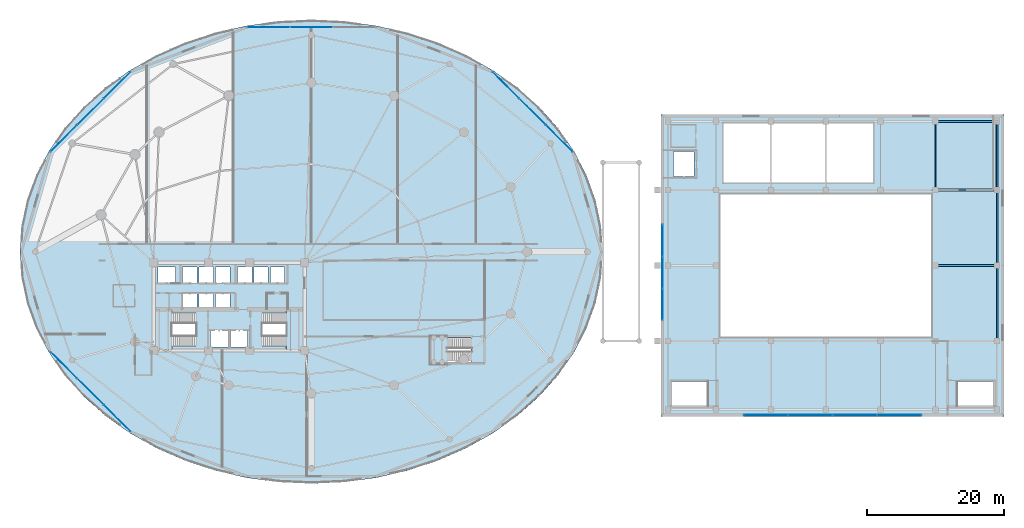
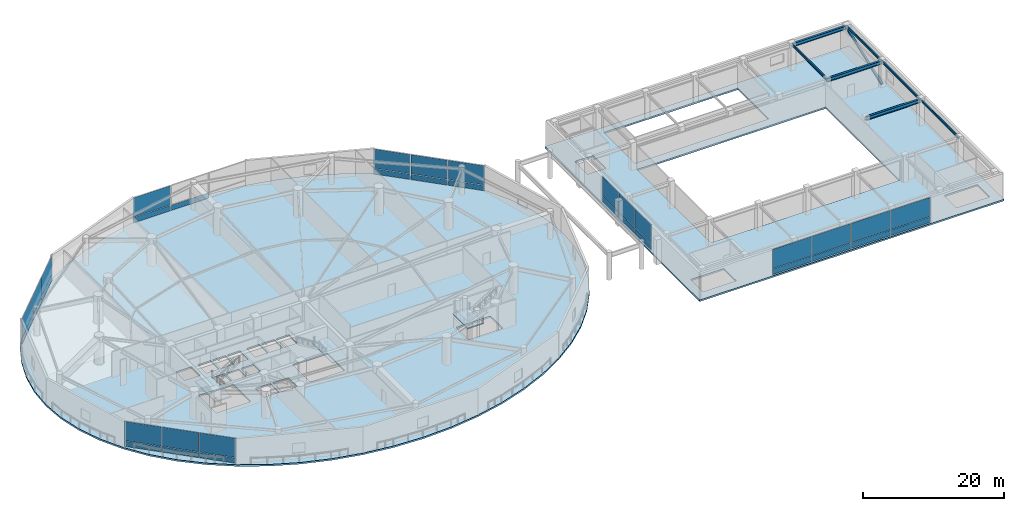
# One storey, part 24 of 36: 35 plates, 7 beams, 5 slabs, 1 member, 10 elements without a shape of their own.
"""IFC4 building model written with IfcOpenShell, lengths in metres."""

from ifc_helpers import new_model, si_unit, direction, frame, origin, origin_2d, place, context, subcontext, project, spatial, polyline, rectangle, hollow_rectangle, i_section, outline, extrude, material, layer, layer_set, material_profile, profile_set, type_object, element, aggregate, save


model = new_model("IFC4")

# Units and contexts
model_context = context("Model", 3, precision=1e-05, world=origin(), true_north=direction((0.0, 1.0)))
body_context = subcontext(model_context, "Body", "Model", "MODEL_VIEW")
ifc_project = project(units=[si_unit("LENGTHUNIT", "METRE"), si_unit("AREAUNIT", "SQUARE_METRE"), si_unit("VOLUMEUNIT", "CUBIC_METRE"), si_unit("PLANEANGLEUNIT", "RADIAN"), si_unit("MASSUNIT", "GRAM", prefix="KILO")], contexts=[model_context])

# Site, building, storey
site_placement = place(None, origin())
site = spatial("IfcSite", under=ifc_project, at=site_placement, CompositionType="ELEMENT")
building_placement = place(site_placement, origin())
building = spatial("IfcBuilding", under=site, at=building_placement, Name="Kazevale Care Tower and Concert Hall", CompositionType="ELEMENT")
storey_placement = place(building_placement, frame((0.0, 0.0, 14.39990234375)))
storey = spatial("IfcBuildingStorey", under=building, at=storey_placement, Name="L03", CompositionType="ELEMENT", Elevation=14.39990234375)

# Beams
ifc_material_1 = material(Name="Steel ASTM A572 Gr 50", Category="steel")
ifc_material_profile_1 = material_profile(ifc_material_1, i_section(OverallWidth=0.323974609375, OverallDepth=0.611083984375, WebThickness=0.0126953125, FlangeThickness=0.01904296875, at=origin_2d()), Name="W610x155")
ifc_profile_set_1 = profile_set([ifc_material_profile_1], Name="Steel ASTM A572 Gr 50")
beam_type_1 = type_object("IfcBeamType", Name="Concert Hall Frame Girder W610x155", PredefinedType="BEAM", material=ifc_profile_set_1)
for number, where, z_axis, x_axis, name in (
    (1, (136.0, 36.0, 4.214599609375), (1.0, 0.0, 0.0), (0.0, 1.0, 0.0), "beam:L03:hx:136_36"),
    (2, (136.0, 47.0, 4.214599609375), (1.0, 0.0, 0.0), (0.0, 1.0, 0.0), "beam:L03:hx:136_47"),
    (3, (136.0, 57.0, 4.214599609375), (1.0, 0.0, 0.0), (0.0, 1.0, 0.0), "beam:L03:hx:136_57"),
):
    element("IfcBeam", number, at=place(storey_placement, frame(where, z_axis=z_axis, x_axis=x_axis)), inside=storey, type_object=beam_type_1, Name=name, PredefinedType="BEAM", context=body_context, shape_type="SweptSolid", body=[
        extrude(i_section(OverallWidth=0.323974609375, OverallDepth=0.611083984375, WebThickness=0.0126953125, FlangeThickness=0.01904296875, at=origin_2d()), origin(), (0.0, 0.0, 1.0), 9.0),
    ])
ifc_material_profile_2 = material_profile(ifc_material_1, i_section(OverallWidth=0.180908203125, OverallDepth=0.4169921875, WebThickness=0.010986328125, FlangeThickness=0.018310546875, at=origin_2d()), Name="W410x85")
ifc_profile_set_2 = profile_set([ifc_material_profile_2], Name="Steel ASTM A572 Gr 50")
beam_type_2 = type_object("IfcBeamType", Name="Concert Hall Secondary Beam W410x85", PredefinedType="BEAM", material=ifc_profile_set_2)
beam_1_placement = place(storey_placement, frame((136.0, 47.0, 4.3115234375), z_axis=(0.0, 1.0, 0.0), x_axis=(-1.0, 0.0, 0.0)))
element("IfcBeam", 4, at=beam_1_placement, inside=storey, type_object=beam_type_2, Name="beam:L03:hy:136_47", PredefinedType="BEAM", context=body_context, shape_type="SweptSolid", body=[
    extrude(i_section(OverallWidth=0.180908203125, OverallDepth=0.4169921875, WebThickness=0.010986328125, FlangeThickness=0.018310546875, at=origin_2d()), origin(), (0.0, 0.0, 1.0), 10.0),
])
for number, where, z_axis, x_axis, name in (
    (5, (145.0, 25.0, 4.3115234375), (0.0, 1.0, 0.0), (-1.0, 0.0, 0.0), "beam:L03:hy:145_25"),
    (6, (145.0, 36.0, 4.3115234375), (0.0, 1.0, 0.0), (-1.0, 0.0, 0.0), "beam:L03:hy:145_36"),
):
    element("IfcBeam", number, at=place(storey_placement, frame(where, z_axis=z_axis, x_axis=x_axis)), inside=storey, type_object=beam_type_2, Name=name, PredefinedType="BEAM", context=body_context, shape_type="SweptSolid", body=[
        extrude(i_section(OverallWidth=0.180908203125, OverallDepth=0.4169921875, WebThickness=0.010986328125, FlangeThickness=0.018310546875, at=origin_2d()), origin(), (0.0, 0.0, 1.0), 11.0),
    ])
beam_2_placement = place(storey_placement, frame((145.0, 47.0, 4.3115234375), z_axis=(0.0, 1.0, 0.0), x_axis=(-1.0, 0.0, 0.0)))
element("IfcBeam", 7, at=beam_2_placement, inside=storey, type_object=beam_type_2, Name="beam:L03:hy:145_47", PredefinedType="BEAM", context=body_context, shape_type="SweptSolid", body=[
    extrude(i_section(OverallWidth=0.180908203125, OverallDepth=0.4169921875, WebThickness=0.010986328125, FlangeThickness=0.018310546875, at=origin_2d()), origin(), (0.0, 0.0, 1.0), 10.0),
])

# Member
ifc_material_profile_3 = material_profile(ifc_material_1, hollow_rectangle(XDim=0.300048828125, YDim=0.300048828125, WallThickness=0.02001953125, at=origin_2d()), Name="SHS300x300x20")
ifc_profile_set_3 = profile_set([ifc_material_profile_3], Name="Steel ASTM A572 Gr 50")
member_type = type_object("IfcMemberType", Name="Concert Hall Wall Brace SHS300x300x20", PredefinedType="BRACE", material=ifc_profile_set_3)
member_placement = place(storey_placement, frame((145.0, 47.0, 0.400146484375), z_axis=(0.0, 0.940290426745, 0.340373197201), x_axis=(-1.0, 0.0, 0.0)))
element("IfcMember", 8, at=member_placement, inside=storey, type_object=member_type, Name="brace:L03:hwW", PredefinedType="BRACE", context=body_context, shape_type="SweptSolid", body=[
    extrude(hollow_rectangle(XDim=0.300048828125, YDim=0.300048828125, WallThickness=0.02001953125, at=origin_2d()), origin(), (0.0, 0.0, 1.0), 10.635009765625),
])

# Curtain wall, plates
ifc_material_2 = material(Name="Aluminium 6063-T6 and Low-E Glass", Category="aluminium")
ifc_layer_1 = layer(ifc_material_2, 0.179931640625)
ifc_layer_set_1 = layer_set([ifc_layer_1], Name="Aluminium 6063-T6 and Low-E Glass")
curtain_wall_type_1 = type_object("IfcCurtainWallType", Name="Podium Double-Skin Medical Curtain Wall CW-1", PredefinedType="NOTDEFINED", material=ifc_layer_set_1)
curtain_wall_1_placement = place(storey_placement, origin())
curtain_wall_1 = element("IfcCurtainWall", 9, at=curtain_wall_1_placement, inside=storey, type_object=curtain_wall_type_1, Name="cw:L03:pod:02", PredefinedType="NOTDEFINED")
ifc_material_3 = material(Name="Low-E Laminated Glass", Category="glass")
ifc_layer_2 = layer(ifc_material_3, 0.030029296875)
ifc_layer_set_2 = layer_set([ifc_layer_2], Name="Low-E Laminated Glass")
plate_type_1 = type_object("IfcPlateType", Name="CW-1 Low-E Glazing Panel 30mm", PredefinedType="CURTAIN_PANEL", material=ifc_layer_set_2)
plate_1_placement = place(storey_placement, frame((81.121826171875, 54.533203125, 0.080078125), z_axis=(0.0, 0.0, 1.0), x_axis=(-0.708554776856, 0.705655814257, 0.0)))
plate_1 = element("IfcPlate", 10, at=plate_1_placement, type_object=plate_type_1, Name="CW-1 panel 1.1", PredefinedType="CURTAIN_PANEL", context=body_context, shape_type="SweptSolid", body=[
    extrude(rectangle(XDim=5.38427734375, YDim=0.030029296875, at=origin_2d()), origin(), (0.0, 0.0, 1.0), 0.929931640625),
])
plate_2_placement = place(storey_placement, frame((81.121826171875, 54.533203125, 1.090087890625), z_axis=(0.0, 0.0, 1.0), x_axis=(-0.708554776856, 0.705655814257, 0.0)))
plate_2 = element("IfcPlate", 11, at=plate_2_placement, type_object=plate_type_1, Name="CW-1 panel 1.2", PredefinedType="CURTAIN_PANEL", context=body_context, shape_type="SweptSolid", body=[
    extrude(rectangle(XDim=5.38427734375, YDim=0.030029296875, at=origin_2d()), origin(), (0.0, 0.0, 1.0), 3.35009765625),
])
plate_3_placement = place(storey_placement, frame((77.22705078125, 58.412109375, 0.080078125), z_axis=(0.0, 0.0, 1.0), x_axis=(-0.708554776856, 0.705655814257, 0.0)))
plate_3 = element("IfcPlate", 12, at=plate_3_placement, type_object=plate_type_1, Name="CW-1 panel 2.1", PredefinedType="CURTAIN_PANEL", context=body_context, shape_type="SweptSolid", body=[
    extrude(rectangle(XDim=5.42919921875, YDim=0.030029296875, at=origin_2d()), origin(), (0.0, 0.0, 1.0), 0.929931640625),
])
plate_4_placement = place(storey_placement, frame((77.22705078125, 58.412109375, 1.090087890625), z_axis=(0.0, 0.0, 1.0), x_axis=(-0.708554776856, 0.705655814257, 0.0)))
plate_4 = element("IfcPlate", 13, at=plate_4_placement, type_object=plate_type_1, Name="CW-1 panel 2.2", PredefinedType="CURTAIN_PANEL", context=body_context, shape_type="SweptSolid", body=[
    extrude(rectangle(XDim=5.42919921875, YDim=0.030029296875, at=origin_2d()), origin(), (0.0, 0.0, 1.0), 3.35009765625),
])
plate_5_placement = place(storey_placement, frame((73.332275390625, 62.290771484375, 0.080078125), z_axis=(0.0, 0.0, 1.0), x_axis=(-0.708554776856, 0.705655814257, 0.0)))
plate_5 = element("IfcPlate", 14, at=plate_5_placement, type_object=plate_type_1, Name="CW-1 panel 3.1", PredefinedType="CURTAIN_PANEL", context=body_context, shape_type="SweptSolid", body=[
    extrude(rectangle(XDim=5.38427734375, YDim=0.030029296875, at=origin_2d()), origin(), (0.0, 0.0, 1.0), 0.929931640625),
])
plate_6_placement = place(storey_placement, frame((73.332275390625, 62.290771484375, 1.090087890625), z_axis=(0.0, 0.0, 1.0), x_axis=(-0.708554776856, 0.705655814257, 0.0)))
plate_6 = element("IfcPlate", 15, at=plate_6_placement, type_object=plate_type_1, Name="CW-1 panel 3.2", PredefinedType="CURTAIN_PANEL", context=body_context, shape_type="SweptSolid", body=[
    extrude(rectangle(XDim=5.38427734375, YDim=0.030029296875, at=origin_2d()), origin(), (0.0, 0.0, 1.0), 3.35009765625),
])
aggregate(curtain_wall_1, [plate_1, plate_2, plate_3, plate_4, plate_5, plate_6])

curtain_wall_2_placement = place(storey_placement, origin())
curtain_wall_2 = element("IfcCurtainWall", 16, at=curtain_wall_2_placement, inside=storey, type_object=curtain_wall_type_1, Name="cw:L03:pod:04", PredefinedType="NOTDEFINED")
plate_7_placement = place(storey_placement, frame((45.0, 70.738037109375, 0.080078125), z_axis=(0.0, 0.0, 1.0), x_axis=(-1.0, 0.0, 0.0)))
plate_7 = element("IfcPlate", 17, at=plate_7_placement, type_object=plate_type_1, Name="CW-1 panel 2.1", PredefinedType="CURTAIN_PANEL", context=body_context, shape_type="SweptSolid", body=[
    extrude(rectangle(XDim=6.181884765625, YDim=0.030029296875, at=origin_2d()), origin(), (0.0, 0.0, 1.0), 0.929931640625),
])
plate_8_placement = place(storey_placement, frame((38.75048828125, 70.738037109375, 0.080078125), z_axis=(0.0, 0.0, 1.0), x_axis=(-1.0, 0.0, 0.0)))
plate_8 = element("IfcPlate", 18, at=plate_8_placement, type_object=plate_type_1, Name="CW-1 panel 3.1", PredefinedType="CURTAIN_PANEL", context=body_context, shape_type="SweptSolid", body=[
    extrude(rectangle(XDim=6.136962890625, YDim=0.030029296875, at=origin_2d()), origin(), (0.0, 0.0, 1.0), 0.929931640625),
])
plate_9_placement = place(storey_placement, frame((38.75048828125, 70.738037109375, 1.090087890625), z_axis=(0.0, 0.0, 1.0), x_axis=(-1.0, 0.0, 0.0)))
plate_9 = element("IfcPlate", 19, at=plate_9_placement, type_object=plate_type_1, Name="CW-1 panel 3.2", PredefinedType="CURTAIN_PANEL", context=body_context, shape_type="SweptSolid", body=[
    extrude(rectangle(XDim=6.136962890625, YDim=0.030029296875, at=origin_2d()), origin(), (0.0, 0.0, 1.0), 3.35009765625),
])
aggregate(curtain_wall_2, [plate_7, plate_8, plate_9])

curtain_wall_3_placement = place(storey_placement, origin())
curtain_wall_3 = element("IfcCurtainWall", 20, at=curtain_wall_3_placement, inside=storey, type_object=curtain_wall_type_1, Name="cw:L03:pod:06", PredefinedType="NOTDEFINED")
plate_10_placement = place(storey_placement, frame((16.667724609375, 62.290771484375, 0.080078125), z_axis=(0.0, 0.0, 1.0), x_axis=(-0.708554776856, -0.705655814257, 0.0)))
plate_10 = element("IfcPlate", 21, at=plate_10_placement, type_object=plate_type_1, Name="CW-1 panel 1.1", PredefinedType="CURTAIN_PANEL", context=body_context, shape_type="SweptSolid", body=[
    extrude(rectangle(XDim=5.38427734375, YDim=0.030029296875, at=origin_2d()), origin(), (0.0, 0.0, 1.0), 0.929931640625),
])
plate_11_placement = place(storey_placement, frame((16.667724609375, 62.290771484375, 1.090087890625), z_axis=(0.0, 0.0, 1.0), x_axis=(-0.708554776856, -0.705655814257, 0.0)))
plate_11 = element("IfcPlate", 22, at=plate_11_placement, type_object=plate_type_1, Name="CW-1 panel 1.2", PredefinedType="CURTAIN_PANEL", context=body_context, shape_type="SweptSolid", body=[
    extrude(rectangle(XDim=5.38427734375, YDim=0.030029296875, at=origin_2d()), origin(), (0.0, 0.0, 1.0), 3.35009765625),
])
plate_12_placement = place(storey_placement, frame((12.77294921875, 58.412109375, 0.080078125), z_axis=(0.0, 0.0, 1.0), x_axis=(-0.708554776856, -0.705655814257, 0.0)))
plate_12 = element("IfcPlate", 23, at=plate_12_placement, type_object=plate_type_1, Name="CW-1 panel 2.1", PredefinedType="CURTAIN_PANEL", context=body_context, shape_type="SweptSolid", body=[
    extrude(rectangle(XDim=5.42919921875, YDim=0.030029296875, at=origin_2d()), origin(), (0.0, 0.0, 1.0), 0.929931640625),
])
plate_13_placement = place(storey_placement, frame((12.77294921875, 58.412109375, 1.090087890625), z_axis=(0.0, 0.0, 1.0), x_axis=(-0.708554776856, -0.705655814257, 0.0)))
plate_13 = element("IfcPlate", 24, at=plate_13_placement, type_object=plate_type_1, Name="CW-1 panel 2.2", PredefinedType="CURTAIN_PANEL", context=body_context, shape_type="SweptSolid", body=[
    extrude(rectangle(XDim=5.42919921875, YDim=0.030029296875, at=origin_2d()), origin(), (0.0, 0.0, 1.0), 3.35009765625),
])
plate_14_placement = place(storey_placement, frame((8.878173828125, 54.533203125, 0.080078125), z_axis=(0.0, 0.0, 1.0), x_axis=(-0.708554776856, -0.705655814257, 0.0)))
plate_14 = element("IfcPlate", 25, at=plate_14_placement, type_object=plate_type_1, Name="CW-1 panel 3.1", PredefinedType="CURTAIN_PANEL", context=body_context, shape_type="SweptSolid", body=[
    extrude(rectangle(XDim=5.38427734375, YDim=0.030029296875, at=origin_2d()), origin(), (0.0, 0.0, 1.0), 0.929931640625),
])
plate_15_placement = place(storey_placement, frame((8.878173828125, 54.533203125, 1.090087890625), z_axis=(0.0, 0.0, 1.0), x_axis=(-0.708554776856, -0.705655814257, 0.0)))
plate_15 = element("IfcPlate", 26, at=plate_15_placement, type_object=plate_type_1, Name="CW-1 panel 3.2", PredefinedType="CURTAIN_PANEL", context=body_context, shape_type="SweptSolid", body=[
    extrude(rectangle(XDim=5.38427734375, YDim=0.030029296875, at=origin_2d()), origin(), (0.0, 0.0, 1.0), 3.35009765625),
])
aggregate(curtain_wall_3, [plate_10, plate_11, plate_12, plate_13, plate_14, plate_15])

curtain_wall_4_placement = place(storey_placement, origin())
curtain_wall_4 = element("IfcCurtainWall", 27, at=curtain_wall_4_placement, inside=storey, type_object=curtain_wall_type_1, Name="cw:L03:pod:09", PredefinedType="NOTDEFINED")
plate_16_placement = place(storey_placement, frame((8.878173828125, 21.466796875, 0.080078125), z_axis=(0.0, 0.0, 1.0), x_axis=(0.708554776856, -0.705655814257, 0.0)))
plate_16 = element("IfcPlate", 28, at=plate_16_placement, type_object=plate_type_1, Name="CW-1 panel 1.1", PredefinedType="CURTAIN_PANEL", context=body_context, shape_type="SweptSolid", body=[
    extrude(rectangle(XDim=5.38427734375, YDim=0.030029296875, at=origin_2d()), origin(), (0.0, 0.0, 1.0), 0.929931640625),
])
plate_17_placement = place(storey_placement, frame((8.878173828125, 21.466796875, 1.090087890625), z_axis=(0.0, 0.0, 1.0), x_axis=(0.708554776856, -0.705655814257, 0.0)))
plate_17 = element("IfcPlate", 29, at=plate_17_placement, type_object=plate_type_1, Name="CW-1 panel 1.2", PredefinedType="CURTAIN_PANEL", context=body_context, shape_type="SweptSolid", body=[
    extrude(rectangle(XDim=5.38427734375, YDim=0.030029296875, at=origin_2d()), origin(), (0.0, 0.0, 1.0), 3.35009765625),
])
plate_18_placement = place(storey_placement, frame((12.77294921875, 17.587890625, 0.080078125), z_axis=(0.0, 0.0, 1.0), x_axis=(0.708554776856, -0.705655814257, 0.0)))
plate_18 = element("IfcPlate", 30, at=plate_18_placement, type_object=plate_type_1, Name="CW-1 panel 2.1", PredefinedType="CURTAIN_PANEL", context=body_context, shape_type="SweptSolid", body=[
    extrude(rectangle(XDim=5.42919921875, YDim=0.030029296875, at=origin_2d()), origin(), (0.0, 0.0, 1.0), 0.929931640625),
])
plate_19_placement = place(storey_placement, frame((12.77294921875, 17.587890625, 1.090087890625), z_axis=(0.0, 0.0, 1.0), x_axis=(0.708554776856, -0.705655814257, 0.0)))
plate_19 = element("IfcPlate", 31, at=plate_19_placement, type_object=plate_type_1, Name="CW-1 panel 2.2", PredefinedType="CURTAIN_PANEL", context=body_context, shape_type="SweptSolid", body=[
    extrude(rectangle(XDim=5.42919921875, YDim=0.030029296875, at=origin_2d()), origin(), (0.0, 0.0, 1.0), 3.35009765625),
])
plate_20_placement = place(storey_placement, frame((16.667724609375, 13.709228515625, 0.080078125), z_axis=(0.0, 0.0, 1.0), x_axis=(0.708554776856, -0.705655814257, 0.0)))
plate_20 = element("IfcPlate", 32, at=plate_20_placement, type_object=plate_type_1, Name="CW-1 panel 3.1", PredefinedType="CURTAIN_PANEL", context=body_context, shape_type="SweptSolid", body=[
    extrude(rectangle(XDim=5.38427734375, YDim=0.030029296875, at=origin_2d()), origin(), (0.0, 0.0, 1.0), 0.929931640625),
])
plate_21_placement = place(storey_placement, frame((16.667724609375, 13.709228515625, 1.090087890625), z_axis=(0.0, 0.0, 1.0), x_axis=(0.708554776856, -0.705655814257, 0.0)))
plate_21 = element("IfcPlate", 33, at=plate_21_placement, type_object=plate_type_1, Name="CW-1 panel 3.2", PredefinedType="CURTAIN_PANEL", context=body_context, shape_type="SweptSolid", body=[
    extrude(rectangle(XDim=5.38427734375, YDim=0.030029296875, at=origin_2d()), origin(), (0.0, 0.0, 1.0), 3.35009765625),
])
aggregate(curtain_wall_4, [plate_16, plate_17, plate_18, plate_19, plate_20, plate_21])

ifc_layer_3 = layer(ifc_material_2, 0.179931640625)
ifc_layer_set_3 = layer_set([ifc_layer_3], Name="Aluminium 6063-T6 and Low-E Glass")
curtain_wall_type_2 = type_object("IfcCurtainWallType", Name="Concert Hall Foyer Storefront Curtain Wall CW-6", PredefinedType="NOTDEFINED", material=ifc_layer_set_3)
curtain_wall_5_placement = place(storey_placement, origin())
curtain_wall_5 = element("IfcCurtainWall", 34, at=curtain_wall_5_placement, inside=storey, type_object=curtain_wall_type_2, Name="cw:L03:hall:S2", PredefinedType="NOTDEFINED")
ifc_layer_4 = layer(ifc_material_3, 0.031982421875)
ifc_layer_set_4 = layer_set([ifc_layer_4], Name="Low-E Laminated Glass")
plate_type_2 = type_object("IfcPlateType", Name="CW-6 Low-E Glazing Panel 32mm", PredefinedType="CURTAIN_PANEL", material=ifc_layer_set_4)
plate_22_placement = place(storey_placement, frame((111.2724609375, 14.199951171875, 0.080078125), z_axis=(0.0, 0.0, 1.0), x_axis=(1.0, 0.0, 0.0)))
plate_22 = element("IfcPlate", 35, at=plate_22_placement, type_object=plate_type_2, Name="CW-6 panel 1.1", PredefinedType="CURTAIN_PANEL", context=body_context, shape_type="SweptSolid", body=[
    extrude(rectangle(XDim=6.364990234375, YDim=0.031982421875, at=origin_2d()), origin(), (0.0, 0.0, 1.0), 0.929931640625),
])
plate_23_placement = place(storey_placement, frame((111.2724609375, 14.199951171875, 1.090087890625), z_axis=(0.0, 0.0, 1.0), x_axis=(1.0, 0.0, 0.0)))
plate_23 = element("IfcPlate", 36, at=plate_23_placement, type_object=plate_type_2, Name="CW-6 panel 1.2", PredefinedType="CURTAIN_PANEL", context=body_context, shape_type="SweptSolid", body=[
    extrude(rectangle(XDim=6.364990234375, YDim=0.031982421875, at=origin_2d()), origin(), (0.0, 0.0, 1.0), 3.35009765625),
])
plate_24_placement = place(storey_placement, frame((117.7275390625, 14.199951171875, 0.080078125), z_axis=(0.0, 0.0, 1.0), x_axis=(1.0, 0.0, 0.0)))
plate_24 = element("IfcPlate", 37, at=plate_24_placement, type_object=plate_type_2, Name="CW-6 panel 2.1", PredefinedType="CURTAIN_PANEL", context=body_context, shape_type="SweptSolid", body=[
    extrude(rectangle(XDim=6.364990234375, YDim=0.031982421875, at=origin_2d()), origin(), (0.0, 0.0, 1.0), 0.929931640625),
])
plate_25_placement = place(storey_placement, frame((117.7275390625, 14.199951171875, 1.090087890625), z_axis=(0.0, 0.0, 1.0), x_axis=(1.0, 0.0, 0.0)))
plate_25 = element("IfcPlate", 38, at=plate_25_placement, type_object=plate_type_2, Name="CW-6 panel 2.2", PredefinedType="CURTAIN_PANEL", context=body_context, shape_type="SweptSolid", body=[
    extrude(rectangle(XDim=6.364990234375, YDim=0.031982421875, at=origin_2d()), origin(), (0.0, 0.0, 1.0), 3.35009765625),
])
aggregate(curtain_wall_5, [plate_22, plate_23, plate_24, plate_25])

curtain_wall_6_placement = place(storey_placement, origin())
curtain_wall_6 = element("IfcCurtainWall", 39, at=curtain_wall_6_placement, inside=storey, type_object=curtain_wall_type_2, Name="cw:L03:hall:S3", PredefinedType="NOTDEFINED")
plate_26_placement = place(storey_placement, frame((124.2724609375, 14.199951171875, 0.080078125), z_axis=(0.0, 0.0, 1.0), x_axis=(1.0, 0.0, 0.0)))
plate_26 = element("IfcPlate", 40, at=plate_26_placement, type_object=plate_type_2, Name="CW-6 panel 1.1", PredefinedType="CURTAIN_PANEL", context=body_context, shape_type="SweptSolid", body=[
    extrude(rectangle(XDim=6.364990234375, YDim=0.031982421875, at=origin_2d()), origin(), (0.0, 0.0, 1.0), 0.929931640625),
])
plate_27_placement = place(storey_placement, frame((124.2724609375, 14.199951171875, 1.090087890625), z_axis=(0.0, 0.0, 1.0), x_axis=(1.0, 0.0, 0.0)))
plate_27 = element("IfcPlate", 41, at=plate_27_placement, type_object=plate_type_2, Name="CW-6 panel 1.2", PredefinedType="CURTAIN_PANEL", context=body_context, shape_type="SweptSolid", body=[
    extrude(rectangle(XDim=6.364990234375, YDim=0.031982421875, at=origin_2d()), origin(), (0.0, 0.0, 1.0), 3.35009765625),
])
plate_28_placement = place(storey_placement, frame((130.7275390625, 14.199951171875, 0.080078125), z_axis=(0.0, 0.0, 1.0), x_axis=(1.0, 0.0, 0.0)))
plate_28 = element("IfcPlate", 42, at=plate_28_placement, type_object=plate_type_2, Name="CW-6 panel 2.1", PredefinedType="CURTAIN_PANEL", context=body_context, shape_type="SweptSolid", body=[
    extrude(rectangle(XDim=6.364990234375, YDim=0.031982421875, at=origin_2d()), origin(), (0.0, 0.0, 1.0), 0.929931640625),
])
plate_29_placement = place(storey_placement, frame((130.7275390625, 14.199951171875, 1.090087890625), z_axis=(0.0, 0.0, 1.0), x_axis=(1.0, 0.0, 0.0)))
plate_29 = element("IfcPlate", 43, at=plate_29_placement, type_object=plate_type_2, Name="CW-6 panel 2.2", PredefinedType="CURTAIN_PANEL", context=body_context, shape_type="SweptSolid", body=[
    extrude(rectangle(XDim=6.364990234375, YDim=0.031982421875, at=origin_2d()), origin(), (0.0, 0.0, 1.0), 3.35009765625),
])
aggregate(curtain_wall_6, [plate_26, plate_27, plate_28, plate_29])

curtain_wall_7_placement = place(storey_placement, origin())
curtain_wall_7 = element("IfcCurtainWall", 44, at=curtain_wall_7_placement, inside=storey, type_object=curtain_wall_type_2, Name="cw:L03:hall:W2", PredefinedType="NOTDEFINED")
plate_30_placement = place(storey_placement, frame((96.199951171875, 39.644287109375, 0.080078125), z_axis=(0.0, 0.0, 1.0), x_axis=(0.0, -1.0, 0.0)))
plate_30 = element("IfcPlate", 45, at=plate_30_placement, type_object=plate_type_2, Name="CW-6 panel 1.1", PredefinedType="CURTAIN_PANEL", context=body_context, shape_type="SweptSolid", body=[
    extrude(rectangle(XDim=4.53173828125, YDim=0.031982421875, at=origin_2d()), origin(), (0.0, 0.0, 1.0), 0.929931640625),
])
plate_31_placement = place(storey_placement, frame((96.199951171875, 39.644287109375, 1.090087890625), z_axis=(0.0, 0.0, 1.0), x_axis=(0.0, -1.0, 0.0)))
plate_31 = element("IfcPlate", 46, at=plate_31_placement, type_object=plate_type_2, Name="CW-6 panel 1.2", PredefinedType="CURTAIN_PANEL", context=body_context, shape_type="SweptSolid", body=[
    extrude(rectangle(XDim=4.53173828125, YDim=0.031982421875, at=origin_2d()), origin(), (0.0, 0.0, 1.0), 3.35009765625),
])
plate_32_placement = place(storey_placement, frame((96.199951171875, 35.0, 0.080078125), z_axis=(0.0, 0.0, 1.0), x_axis=(0.0, -1.0, 0.0)))
plate_32 = element("IfcPlate", 47, at=plate_32_placement, type_object=plate_type_2, Name="CW-6 panel 2.1", PredefinedType="CURTAIN_PANEL", context=body_context, shape_type="SweptSolid", body=[
    extrude(rectangle(XDim=4.57666015625, YDim=0.031982421875, at=origin_2d()), origin(), (0.0, 0.0, 1.0), 0.929931640625),
])
plate_33_placement = place(storey_placement, frame((96.199951171875, 35.0, 1.090087890625), z_axis=(0.0, 0.0, 1.0), x_axis=(0.0, -1.0, 0.0)))
plate_33 = element("IfcPlate", 48, at=plate_33_placement, type_object=plate_type_2, Name="CW-6 panel 2.2", PredefinedType="CURTAIN_PANEL", context=body_context, shape_type="SweptSolid", body=[
    extrude(rectangle(XDim=4.57666015625, YDim=0.031982421875, at=origin_2d()), origin(), (0.0, 0.0, 1.0), 3.35009765625),
])
plate_34_placement = place(storey_placement, frame((96.199951171875, 30.355712890625, 0.080078125), z_axis=(0.0, 0.0, 1.0), x_axis=(0.0, -1.0, 0.0)))
plate_34 = element("IfcPlate", 49, at=plate_34_placement, type_object=plate_type_2, Name="CW-6 panel 3.1", PredefinedType="CURTAIN_PANEL", context=body_context, shape_type="SweptSolid", body=[
    extrude(rectangle(XDim=4.53173828125, YDim=0.031982421875, at=origin_2d()), origin(), (0.0, 0.0, 1.0), 0.929931640625),
])
plate_35_placement = place(storey_placement, frame((96.199951171875, 30.355712890625, 1.090087890625), z_axis=(0.0, 0.0, 1.0), x_axis=(0.0, -1.0, 0.0)))
plate_35 = element("IfcPlate", 50, at=plate_35_placement, type_object=plate_type_2, Name="CW-6 panel 3.2", PredefinedType="CURTAIN_PANEL", context=body_context, shape_type="SweptSolid", body=[
    extrude(rectangle(XDim=4.53173828125, YDim=0.031982421875, at=origin_2d()), origin(), (0.0, 0.0, 1.0), 3.35009765625),
])
aggregate(curtain_wall_7, [plate_30, plate_31, plate_32, plate_33, plate_34, plate_35])

# Slabs
ifc_material_4 = material(Name="Concrete C40", Category="concrete")
ifc_layer_5 = layer(ifc_material_4, 0.280029296875)
ifc_layer_set_5 = layer_set([ifc_layer_5], Name="Concrete C40")
slab_type_1 = type_object("IfcSlabType", Name="Concert Hall Floor Slab 280", PredefinedType="FLOOR", material=ifc_layer_set_5)
slab_1_placement = place(storey_placement, frame((0.0, 0.0, -0.27978515625)))
element("IfcSlab", 51, at=slab_1_placement, inside=storey, type_object=slab_type_1, Name="slab:L03:hall", PredefinedType="FLOOR", context=body_context, shape_type="SweptSolid", body=[
    extrude(outline(polyline([(96.0, 14.0), (146.0, 14.0), (146.0, 58.0), (96.0, 58.0), (96.0, 14.0)]), holes=[polyline([(97.449951171875, 15.550048828125), (102.909912109375, 15.550048828125), (102.909912109375, 19.050048828125), (97.449951171875, 19.050048828125), (97.449951171875, 15.550048828125)]), polyline([(139.090087890625, 15.550048828125), (144.550048828125, 15.550048828125), (144.550048828125, 19.050048828125), (139.090087890625, 19.050048828125), (139.090087890625, 15.550048828125)]), polyline([(97.800048828125, 49.0), (100.800048828125, 49.0), (100.800048828125, 52.60009765625), (97.800048828125, 52.60009765625), (97.800048828125, 49.0)]), polyline([(104.5, 25.5), (135.5, 25.5), (135.5, 46.5), (104.5, 46.5), (104.5, 25.5)]), polyline([(105.0, 48.0), (127.0, 48.0), (127.0, 56.800048828125), (105.0, 56.800048828125), (105.0, 48.0)])]), origin(), (0.0, 0.0, 1.0), 0.27978515625),
])
ifc_layer_6 = layer(ifc_material_4, 0.280029296875)
ifc_layer_set_6 = layer_set([ifc_layer_6], Name="Concrete C40")
slab_type_2 = type_object("IfcSlabType", Name="Podium Clinic Floor Slab 280", PredefinedType="FLOOR", material=ifc_layer_set_6)
slab_2_placement = place(storey_placement, frame((0.0, 0.0, -0.27978515625)))
element("IfcSlab", 52, at=slab_2_placement, inside=storey, type_object=slab_type_2, Name="slab:L03:tw:1", PredefinedType="FLOOR", context=body_context, shape_type="SweptSolid", body=[
    extrude(outline(polyline([(87.5, 38.0), (87.23291015625, 41.784423828125), (86.434326171875, 45.521240234375), (85.114990234375, 49.163330078125), (83.291259765625, 52.665283203125), (80.98583984375, 55.982666015625), (78.227783203125, 59.073974609375), (75.052001953125, 61.900146484375), (71.498291015625, 64.42578125), (67.611328125, 66.619384765625), (63.440185546875, 68.45263671875), (59.036865234375, 69.9033203125), (54.45703125, 70.95263671875), (49.758544921875, 71.58740234375), (45.0, 71.800048828125), (40.241455078125, 71.58740234375), (35.54296875, 70.95263671875), (30.963134765625, 69.9033203125), (26.559814453125, 68.45263671875), (22.388671875, 66.619384765625), (18.501708984375, 64.42578125), (14.947998046875, 61.900146484375), (11.772216796875, 59.073974609375), (9.01416015625, 55.982666015625), (6.708740234375, 52.665283203125), (4.885009765625, 49.163330078125), (3.565673828125, 45.521240234375), (2.76708984375, 41.784423828125), (2.5, 38.0), (2.76708984375, 34.215576171875), (3.565673828125, 30.478759765625), (4.885009765625, 26.836669921875), (6.708740234375, 23.334716796875), (9.01416015625, 20.017333984375), (11.772216796875, 16.926025390625), (14.947998046875, 14.099853515625), (18.501708984375, 11.57421875), (22.388671875, 9.380615234375), (26.559814453125, 7.54736328125), (30.963134765625, 6.0966796875), (35.54296875, 5.04736328125), (40.241455078125, 4.41259765625), (45.0, 4.199951171875), (49.758544921875, 4.41259765625), (54.45703125, 5.04736328125), (59.036865234375, 6.0966796875), (63.440185546875, 7.54736328125), (67.611328125, 9.380615234375), (71.498291015625, 11.57421875), (75.052001953125, 14.099853515625), (78.227783203125, 16.926025390625), (80.98583984375, 20.017333984375), (83.291259765625, 23.334716796875), (85.114990234375, 26.836669921875), (86.434326171875, 30.478759765625), (87.23291015625, 34.215576171875), (87.5, 38.0)]), holes=[polyline([(22.449951171875, 24.14990234375), (28.110107421875, 24.14990234375), (28.110107421875, 29.14990234375), (22.449951171875, 29.14990234375), (22.449951171875, 24.14990234375)]), polyline([(37.889892578125, 24.14990234375), (43.550048828125, 24.14990234375), (43.550048828125, 29.14990234375), (37.889892578125, 29.14990234375), (37.889892578125, 24.14990234375)]), polyline([(30.300048828125, 24.10009765625), (32.800048828125, 24.10009765625), (32.800048828125, 26.60009765625), (30.300048828125, 26.60009765625), (30.300048828125, 24.10009765625)]), polyline([(33.199951171875, 24.10009765625), (35.699951171875, 24.10009765625), (35.699951171875, 26.60009765625), (33.199951171875, 26.60009765625), (33.199951171875, 24.10009765625)]), polyline([(22.60009765625, 33.39990234375), (25.199951171875, 33.39990234375), (25.199951171875, 35.800048828125), (22.60009765625, 35.800048828125), (22.60009765625, 33.39990234375)]), polyline([(26.199951171875, 33.39990234375), (28.300048828125, 33.39990234375), (28.300048828125, 35.800048828125), (26.199951171875, 35.800048828125), (26.199951171875, 33.39990234375)]), polyline([(28.60009765625, 33.39990234375), (30.699951171875, 33.39990234375), (30.699951171875, 35.800048828125), (28.60009765625, 35.800048828125), (28.60009765625, 33.39990234375)]), polyline([(31.0, 33.39990234375), (33.10009765625, 33.39990234375), (33.10009765625, 35.800048828125), (31.0, 35.800048828125), (31.0, 33.39990234375)]), polyline([(34.199951171875, 33.39990234375), (36.300048828125, 33.39990234375), (36.300048828125, 35.800048828125), (34.199951171875, 35.800048828125), (34.199951171875, 33.39990234375)]), polyline([(36.60009765625, 33.39990234375), (38.699951171875, 33.39990234375), (38.699951171875, 35.800048828125), (36.60009765625, 35.800048828125), (36.60009765625, 33.39990234375)]), polyline([(39.0, 33.39990234375), (41.10009765625, 33.39990234375), (41.10009765625, 35.800048828125), (39.0, 35.800048828125), (39.0, 33.39990234375)]), polyline([(26.199951171875, 29.949951171875), (28.300048828125, 29.949951171875), (28.300048828125, 31.949951171875), (26.199951171875, 31.949951171875), (26.199951171875, 29.949951171875)]), polyline([(28.60009765625, 29.949951171875), (30.699951171875, 29.949951171875), (30.699951171875, 31.949951171875), (28.60009765625, 31.949951171875), (28.60009765625, 29.949951171875)]), polyline([(31.0, 29.949951171875), (33.10009765625, 29.949951171875), (33.10009765625, 31.949951171875), (31.0, 31.949951171875), (31.0, 29.949951171875)]), polyline([(62.60009765625, 21.949951171875), (68.260009765625, 21.949951171875), (68.260009765625, 25.449951171875), (62.60009765625, 25.449951171875), (62.60009765625, 21.949951171875)])]), origin(), (0.0, 0.0, 1.0), 0.27978515625),
])

# Stair, slab
stair_type_1 = type_object("IfcStairType", Name="Exit Stair Assembly ST1-P", PredefinedType="HALF_TURN_STAIR", material=ifc_material_4)
stair_1_placement = place(storey_placement, origin())
stair_1 = element("IfcStair", 53, at=stair_1_placement, inside=storey, type_object=stair_type_1, Name="stair:L03:ST1", PredefinedType="HALF_TURN_STAIR")
ifc_layer_7 = layer(ifc_material_4, 0.199951171875)
ifc_layer_set_7 = layer_set([ifc_layer_7], Name="Concrete C40")
slab_type_3 = type_object("IfcSlabType", Name="Stair Half-Landing Slab ST1-P", PredefinedType="LANDING", material=ifc_layer_set_7)
slab_3_placement = place(storey_placement, frame((0.0, 0.0, 2.2001953125)))
slab_3 = element("IfcSlab", 54, at=slab_3_placement, type_object=slab_type_3, Name="ST1-P landing 1", PredefinedType="LANDING", context=body_context, shape_type="SweptSolid", body=[
    extrude(outline(polyline([(22.050048828125, 23.699951171875), (24.68994140625, 23.699951171875), (24.68994140625, 29.5), (22.050048828125, 29.5), (22.050048828125, 23.699951171875)])), origin(), (0.0, 0.0, 1.0), 0.199951171875),
])
aggregate(stair_1, [slab_3])

stair_2_placement = place(storey_placement, origin())
stair_2 = element("IfcStair", 55, at=stair_2_placement, inside=storey, type_object=stair_type_1, Name="stair:L03:ST2", PredefinedType="HALF_TURN_STAIR")
slab_4_placement = place(storey_placement, frame((0.0, 0.0, 2.2001953125)))
slab_4 = element("IfcSlab", 56, at=slab_4_placement, type_object=slab_type_3, Name="ST1-P landing 1", PredefinedType="LANDING", context=body_context, shape_type="SweptSolid", body=[
    extrude(outline(polyline([(41.31005859375, 23.699951171875), (43.949951171875, 23.699951171875), (43.949951171875, 29.5), (41.31005859375, 29.5), (41.31005859375, 23.699951171875)])), origin(), (0.0, 0.0, 1.0), 0.199951171875),
])
aggregate(stair_2, [slab_4])

stair_type_2 = type_object("IfcStairType", Name="Exit Stair Assembly ST3-P", PredefinedType="HALF_TURN_STAIR", material=ifc_material_4)
stair_3_placement = place(storey_placement, origin())
stair_3 = element("IfcStair", 57, at=stair_3_placement, inside=storey, type_object=stair_type_2, Name="stair:L03:ST3", PredefinedType="HALF_TURN_STAIR")
ifc_layer_8 = layer(ifc_material_4, 0.199951171875)
ifc_layer_set_8 = layer_set([ifc_layer_8], Name="Concrete C40")
slab_type_4 = type_object("IfcSlabType", Name="Stair Half-Landing Slab ST3-P", PredefinedType="LANDING", material=ifc_layer_set_8)
slab_5_placement = place(storey_placement, frame((0.0, 0.0, 2.2001953125)))
slab_5 = element("IfcSlab", 58, at=slab_5_placement, type_object=slab_type_4, Name="ST3-P landing 1", PredefinedType="LANDING", context=body_context, shape_type="SweptSolid", body=[
    extrude(outline(polyline([(62.199951171875, 21.5), (64.840087890625, 21.5), (64.840087890625, 25.800048828125), (62.199951171875, 25.800048828125), (62.199951171875, 21.5)])), origin(), (0.0, 0.0, 1.0), 0.199951171875),
])
aggregate(stair_3, [slab_5])

save(model, "model.ifc")
